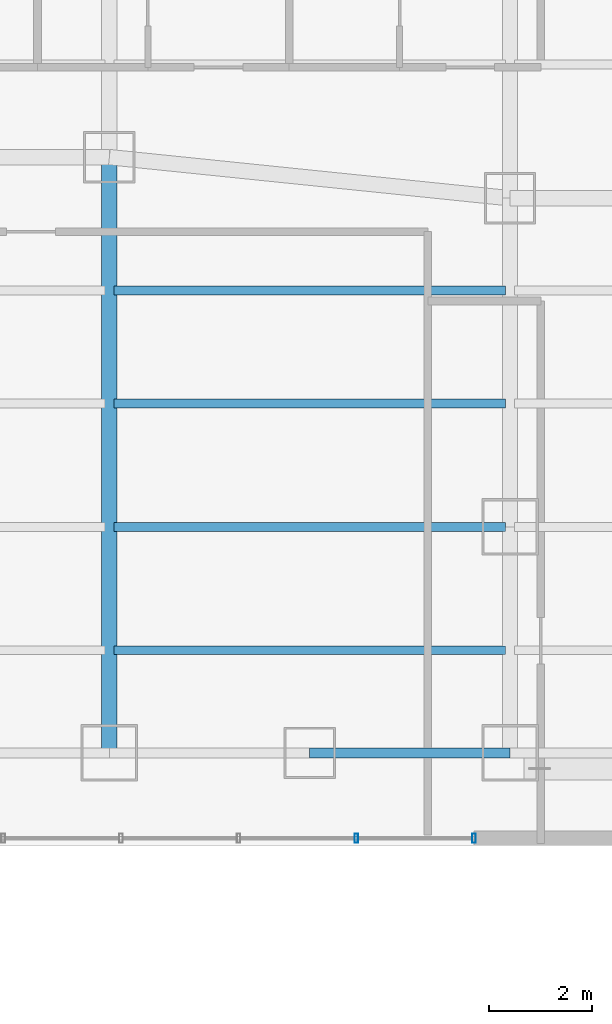
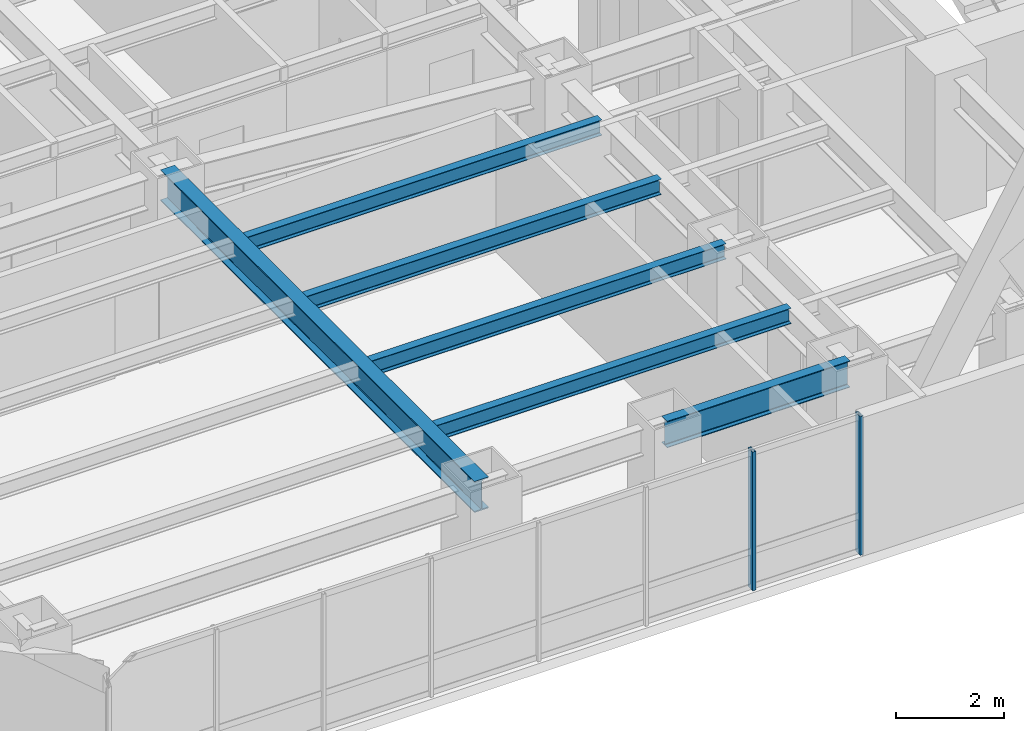
# One storey, part 6 of 33: 6 beams, 2 members, 1 element without a shape of its own.
"""IFC4 building model written with IfcOpenShell, lengths in metres."""

from ifc_helpers import new_model, si_unit, direction, frame, origin, origin_2d, place, context, subcontext, project, spatial, hollow_rectangle, i_section, extrude, material, layer, layer_set, material_profile, profile_set, type_object, element, aggregate, save


model = new_model("IFC4")

# Units and contexts
model_context = context("Model", 3, precision=1e-05, world=origin(), true_north=direction((0.0, 1.0)))
body_context = subcontext(model_context, "Body", "Model", "MODEL_VIEW")
ifc_project = project(units=[si_unit("LENGTHUNIT", "METRE"), si_unit("AREAUNIT", "SQUARE_METRE"), si_unit("VOLUMEUNIT", "CUBIC_METRE"), si_unit("PLANEANGLEUNIT", "RADIAN"), si_unit("MASSUNIT", "GRAM", prefix="KILO")], contexts=[model_context])

# Site, building, storey
site_placement = place(None, origin())
site = spatial("IfcSite", under=ifc_project, at=site_placement, CompositionType="ELEMENT")
building_placement = place(site_placement, origin())
building = spatial("IfcBuilding", under=site, at=building_placement, Name="Hatsunagi Terrace Concourse", CompositionType="ELEMENT")
storey_placement = place(building_placement, frame((0.0, 0.0, 43.300048828125)))
storey = spatial("IfcBuildingStorey", under=building, at=storey_placement, Name="L10", CompositionType="ELEMENT", Elevation=43.300048828125)

# Curtain wall, members
ifc_material_1 = material(Name="Anodised Aluminium Alloy 6063-T5", Category="aluminium")
ifc_layer = layer(ifc_material_1, 0.199951171875)
ifc_layer_set = layer_set([ifc_layer], Name="HotelFacade_CW02")
curtain_wall_type = type_object("IfcCurtainWallType", Name="HotelFacade_CW02", PredefinedType="NOTDEFINED", material=ifc_layer_set)
curtain_wall_placement = place(storey_placement, origin())
curtain_wall = element("IfcCurtainWall", 1, at=curtain_wall_placement, inside=storey, type_object=curtain_wall_type, Name="Unitised Curtain Wall CW-02 CW-L10-07", PredefinedType="NOTDEFINED")
ifc_material_2 = material(Name="Anodised Aluminium Alloy 6063-T5", Category="aluminium")
ifc_material_profile_1 = material_profile(ifc_material_2, hollow_rectangle(XDim=0.070068359375, YDim=0.179931640625, WallThickness=0.00390625, at=origin_2d()), Name="ALU-MUL-180x70x4")
ifc_profile_set_1 = profile_set([ifc_material_profile_1], Name="Anodised Aluminium Alloy 6063-T5")
member_type = type_object("IfcMemberType", Name="CurtainWallMullion_180x70", PredefinedType="MULLION", material=ifc_profile_set_1)
member_1_placement = place(storey_placement, frame((18.5, 23.5400390625, 0.0), z_axis=(0.0, 0.0, 1.0), x_axis=(-1.0, 0.0, 0.0)))
member_1 = element("IfcMember", 2, at=member_1_placement, type_object=member_type, Name="Curtain Wall Mullion MUL-02", PredefinedType="MULLION", context=body_context, shape_type="SweptSolid", body=[
    extrude(hollow_rectangle(XDim=0.070068359375, YDim=0.179931640625, WallThickness=0.00390625, at=origin_2d()), origin(), (0.0, 0.0, 1.0), 3.1298828125),
])
member_2_placement = place(storey_placement, frame((16.2080078125, 23.5400390625, 0.0), z_axis=(0.0, 0.0, 1.0), x_axis=(-1.0, 0.0, 0.0)))
member_2 = element("IfcMember", 3, at=member_2_placement, type_object=member_type, Name="Curtain Wall Mullion MUL-02", PredefinedType="MULLION", context=body_context, shape_type="SweptSolid", body=[
    extrude(hollow_rectangle(XDim=0.070068359375, YDim=0.179931640625, WallThickness=0.00390625, at=origin_2d()), origin(), (0.0, 0.0, 1.0), 3.1298828125),
])
aggregate(curtain_wall, [member_1, member_2])

# Beams
ifc_material_3 = material(Name="Steel SN490B", Category="steel")
ifc_material_profile_2 = material_profile(ifc_material_3, i_section(OverallWidth=0.300048828125, OverallDepth=0.699951171875, WebThickness=0.012939453125, FlangeThickness=0.02392578125, FilletRadius=0.02197265625, at=origin_2d()), Name="H-700x300x13x24")
ifc_profile_set_2 = profile_set([ifc_material_profile_2], Name="Steel SN490B")
beam_type_1 = type_object("IfcBeamType", Name="HotelFloorGirder_H_700x300", PredefinedType="BEAM", material=ifc_profile_set_2)
beam_1_placement = place(storey_placement, frame((11.39990234375, 25.199951171875, 2.780029296875), z_axis=(0.0, 1.0, 0.0), x_axis=(-1.0, 0.0, 0.0)))
element("IfcBeam", 4, at=beam_1_placement, inside=storey, type_object=beam_type_1, Name="Beam G-04 BM-L10-NS-11-25", PredefinedType="BEAM", context=body_context, shape_type="SweptSolid", body=[
    extrude(i_section(OverallWidth=0.300048828125, OverallDepth=0.699951171875, WebThickness=0.012939453125, FlangeThickness=0.02392578125, FilletRadius=0.02197265625, at=origin_2d()), origin(), (0.0, 0.0, 1.0), 11.60009765625),
])
ifc_material_4 = material(Name="Steel SN490B", Category="steel")
ifc_material_profile_3 = material_profile(ifc_material_4, i_section(OverallWidth=0.175048828125, OverallDepth=0.35009765625, WebThickness=0.007080078125, FlangeThickness=0.010986328125, FilletRadius=0.012939453125, at=origin_2d()), Name="H-350x175x7x11")
ifc_profile_set_3 = profile_set([ifc_material_profile_3], Name="Steel SN490B")
beam_type_2 = type_object("IfcBeamType", Name="HotelJoist_H_350x175", PredefinedType="JOIST", material=ifc_profile_set_3)
for number, where, z_axis, x_axis, name in (
    (5, (11.485107421875, 27.199951171875, 2.954833984375), (1.0, 0.0, 0.0), (0.0, 1.0, 0.0), "Beam J-02 J-L10-W-11-272"),
    (6, (11.485107421875, 29.60009765625, 2.954833984375), (1.0, 0.0, 0.0), (0.0, 1.0, 0.0), "Beam J-02 J-L10-W-11-296"),
    (7, (11.485107421875, 32.0, 2.954833984375), (1.0, 0.0, 0.0), (0.0, 1.0, 0.0), "Beam J-02 J-L10-W-11-320"),
    (8, (11.485107421875, 34.199951171875, 2.954833984375), (1.0, 0.0, 0.0), (0.0, 1.0, 0.0), "Beam J-02 J-L10-W-11-342"),
):
    element("IfcBeam", number, at=place(storey_placement, frame(where, z_axis=z_axis, x_axis=x_axis)), inside=storey, type_object=beam_type_2, Name=name, PredefinedType="JOIST", context=body_context, shape_type="SweptSolid", body=[
        extrude(i_section(OverallWidth=0.175048828125, OverallDepth=0.35009765625, WebThickness=0.007080078125, FlangeThickness=0.010986328125, FilletRadius=0.012939453125, at=origin_2d()), origin(), (0.0, 0.0, 1.0), 7.6298828125),
    ])
ifc_material_5 = material(Name="Steel SN490B", Category="steel")
ifc_material_profile_4 = material_profile(ifc_material_5, i_section(OverallWidth=0.199951171875, OverallDepth=0.60009765625, WebThickness=0.010986328125, FlangeThickness=0.01708984375, FilletRadius=0.01806640625, at=origin_2d()), Name="H-600x200x11x17")
ifc_profile_set_4 = profile_set([ifc_material_profile_4], Name="Steel SN490B")
beam_type_3 = type_object("IfcBeamType", Name="PerimeterSpandrel_H_600x200", PredefinedType="SPANDREL", material=ifc_profile_set_4)
beam_2_placement = place(storey_placement, frame((15.300048828125, 25.199951171875, 2.829833984375), z_axis=(1.0, 0.0, 0.0), x_axis=(0.0, 1.0, 0.0)))
element("IfcBeam", 9, at=beam_2_placement, inside=storey, type_object=beam_type_3, Name="Beam SP-01 BM-L10-WS-15", PredefinedType="SPANDREL", context=body_context, shape_type="SweptSolid", body=[
    extrude(i_section(OverallWidth=0.199951171875, OverallDepth=0.60009765625, WebThickness=0.010986328125, FlangeThickness=0.01708984375, FilletRadius=0.01806640625, at=origin_2d()), origin(), (0.0, 0.0, 1.0), 3.89990234375),
])

save(model, "model.ifc")
